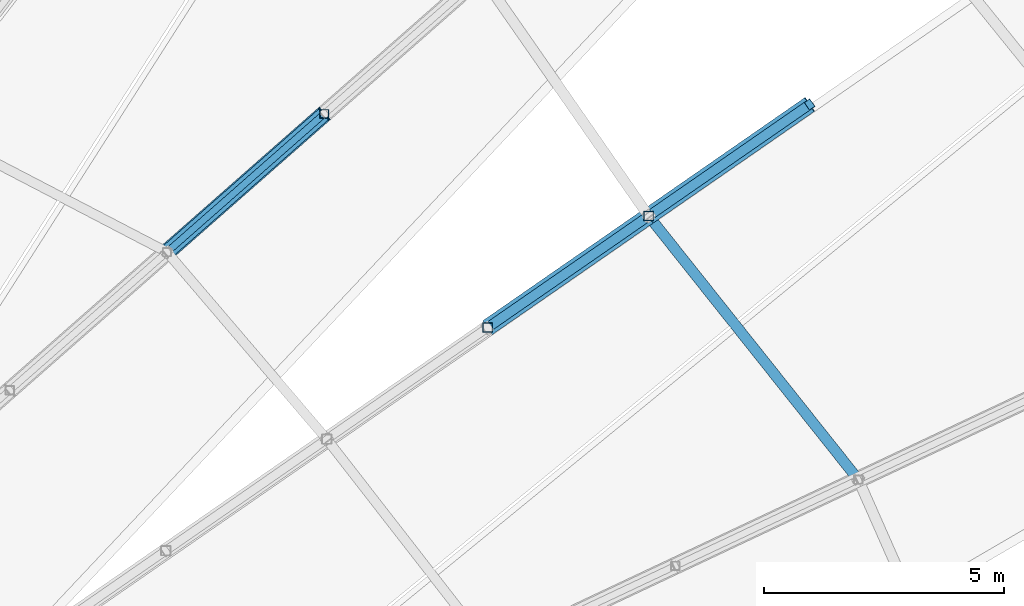
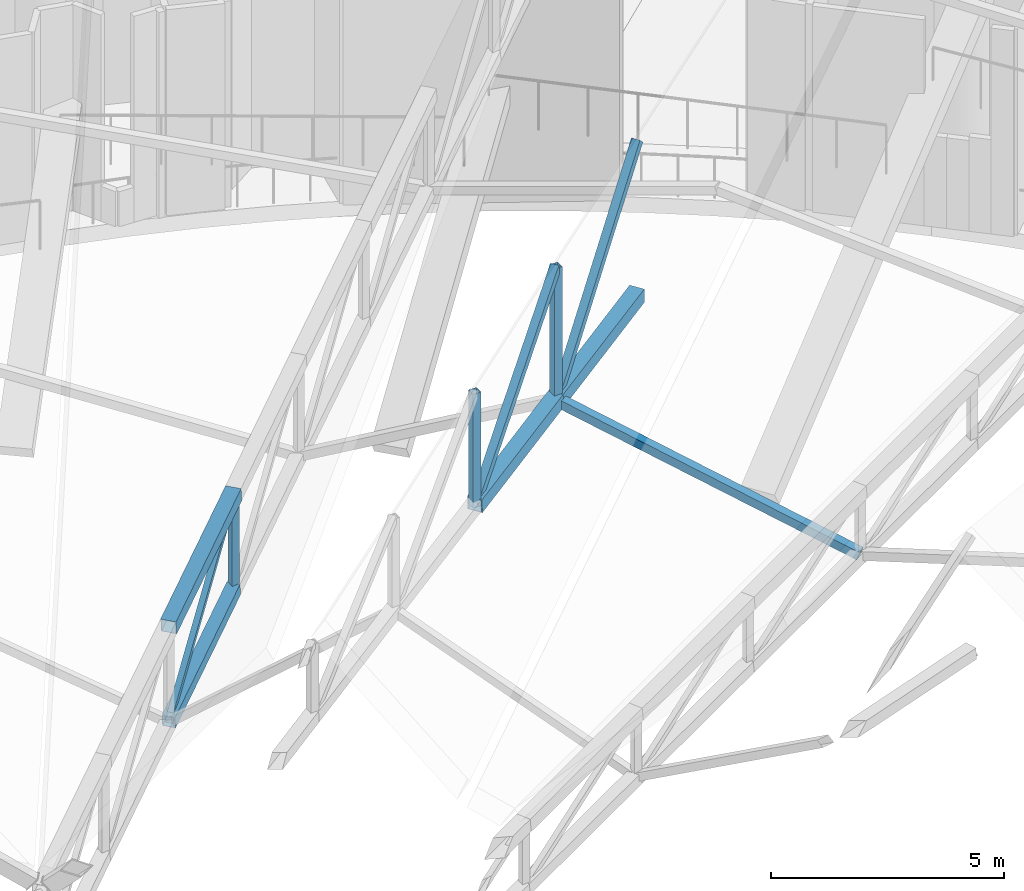
# One storey, part 187 of 344: 11 members.
"""IFC4 building model written with IfcOpenShell, lengths in metres."""

from ifc_helpers import new_model, si_unit, direction, frame, origin, origin_2d, place, context, subcontext, project, spatial, hollow_rectangle, extrude, material, material_profile, profile_set, type_object, element, save


model = new_model("IFC4")

# Units and contexts
model_context = context("Model", 3, precision=1e-05, world=origin(), true_north=direction((0.0, 1.0)))
body_context = subcontext(model_context, "Body", "Model", "MODEL_VIEW")
ifc_project = project(units=[si_unit("LENGTHUNIT", "METRE"), si_unit("AREAUNIT", "SQUARE_METRE"), si_unit("VOLUMEUNIT", "CUBIC_METRE"), si_unit("PLANEANGLEUNIT", "RADIAN"), si_unit("MASSUNIT", "GRAM", prefix="KILO")], contexts=[model_context])

# Site, building, storey
site_placement = place(None, origin())
site = spatial("IfcSite", under=ifc_project, at=site_placement, CompositionType="ELEMENT")
building_placement = place(site_placement, origin())
building = spatial("IfcBuilding", under=site, at=building_placement, Name="Meseta Stadium", CompositionType="ELEMENT")
storey_placement = place(building_placement, frame((0.0, 0.0, 24.0)))
storey = spatial("IfcBuildingStorey", under=building, at=storey_placement, Name="L04", CompositionType="ELEMENT", Elevation=24.0)

# Members
ifc_material_1 = material(Name="Steel S355", Category="steel")
ifc_material_profile_1 = material_profile(ifc_material_1, hollow_rectangle(XDim=0.139892578125, YDim=0.139892578125, WallThickness=0.0048828125, at=origin_2d()), Name="SHS 140x140x5")
ifc_profile_set_1 = profile_set([ifc_material_profile_1], Name="Steel S355")
member_type_1 = type_object("IfcMemberType", Name="SHS 140x140x5 diagonal", PredefinedType="BRACE", material=ifc_profile_set_1)
member_1_placement = place(storey_placement, frame((44.960205078125, 67.51220703125, 2.114013671875), z_axis=(0.612481902981, 0.538328789261, 0.578850613866), x_axis=(-0.660174887179, 0.751111921312, 0.0)))
element("IfcMember", 1, at=member_1_placement, inside=storey, type_object=member_type_1, Name="ROOF TRUSS RT-13 diagonal", PredefinedType="BRACE", context=body_context, shape_type="SweptSolid", body=[
    extrude(hollow_rectangle(XDim=0.139892578125, YDim=0.139892578125, WallThickness=0.0048828125, at=origin_2d()), origin(), (0.0, 0.0, 1.0), 5.35009765625),
])
ifc_material_2 = material(Name="Steel S355", Category="steel")
ifc_material_profile_2 = material_profile(ifc_material_2, hollow_rectangle(XDim=0.179931640625, YDim=0.179931640625, WallThickness=0.00634765625, at=origin_2d()), Name="SHS 180x180x6.3")
ifc_profile_set_2 = profile_set([ifc_material_profile_2], Name="Steel S355")
member_type_2 = type_object("IfcMemberType", Name="SHS 180x180x6.3 post", PredefinedType="POST", material=ifc_profile_set_2)
member_2_placement = place(storey_placement, frame((48.237060546875, 70.392333984375, 2.71728515625), z_axis=(0.0, 0.0, 1.0), x_axis=(1.0, 0.0, 0.0)))
element("IfcMember", 2, at=member_2_placement, inside=storey, type_object=member_type_2, Name="ROOF TRUSS RT-13 post", PredefinedType="POST", context=body_context, shape_type="SweptSolid", body=[
    extrude(hollow_rectangle(XDim=0.179931640625, YDim=0.179931640625, WallThickness=0.00634765625, at=origin_2d()), origin(), (0.0, 0.0, 1.0), 2.49365234375),
])
ifc_material_3 = material(Name="Steel S355", Category="steel")
ifc_material_profile_3 = material_profile(ifc_material_3, hollow_rectangle(XDim=0.199951171875, YDim=0.199951171875, WallThickness=0.008056640625, at=origin_2d()), Name="SHS 200x200x8")
ifc_profile_set_3 = profile_set([ifc_material_profile_3], Name="Steel S355")
member_type_3 = type_object("IfcMemberType", Name="SHS 200x200x8 diagonal", PredefinedType="BRACE", material=ifc_profile_set_3)
member_3_placement = place(storey_placement, frame((51.644775390625, 65.938720703125, 6.42578125), z_axis=(0.610660288464, 0.42314763349, 0.669357970271), x_axis=(-0.569558253619, 0.821950969179, 0.0)))
element("IfcMember", 3, at=member_3_placement, inside=storey, type_object=member_type_3, Name="ROOF TRUSS RT-12 diagonal", PredefinedType="BRACE", context=body_context, shape_type="SweptSolid", body=[
    extrude(hollow_rectangle(XDim=0.199951171875, YDim=0.199951171875, WallThickness=0.008056640625, at=origin_2d()), origin(), (0.0, 0.0, 1.0), 5.494384765625),
])
member_4_placement = place(storey_placement, frame((55.0, 68.263671875, 6.6044921875), z_axis=(0.57264749333, 0.396877799918, 0.717330370411), x_axis=(-0.569626659021, 0.821903564497, 0.0)))
element("IfcMember", 4, at=member_4_placement, inside=storey, type_object=member_type_3, Name="ROOF TRUSS RT-12 diagonal", PredefinedType="BRACE", context=body_context, shape_type="SweptSolid", body=[
    extrude(hollow_rectangle(XDim=0.199951171875, YDim=0.199951171875, WallThickness=0.008056640625, at=origin_2d()), origin(), (0.0, 0.0, 1.0), 5.858642578125),
])
ifc_material_4 = material(Name="Steel S355", Category="steel")
ifc_material_profile_4 = material_profile(ifc_material_4, hollow_rectangle(XDim=0.199951171875, YDim=0.199951171875, WallThickness=0.008056640625, at=origin_2d()), Name="SHS 200x200x8")
ifc_profile_set_4 = profile_set([ifc_material_profile_4], Name="Steel S355")
member_type_4 = type_object("IfcMemberType", Name="SHS 200x200x8 post", PredefinedType="POST", material=ifc_profile_set_4)
member_5_placement = place(storey_placement, frame((51.644775390625, 65.938720703125, 6.42578125), z_axis=(0.0, 0.0, 1.0), x_axis=(1.0, 0.0, 0.0)))
element("IfcMember", 5, at=member_5_placement, inside=storey, type_object=member_type_4, Name="ROOF TRUSS RT-12 post", PredefinedType="POST", context=body_context, shape_type="SweptSolid", body=[
    extrude(hollow_rectangle(XDim=0.199951171875, YDim=0.199951171875, WallThickness=0.008056640625, at=origin_2d()), origin(), (0.0, 0.0, 1.0), 2.97412109375),
])
member_6_placement = place(storey_placement, frame((55.0, 68.263671875, 6.6044921875), z_axis=(0.0, 0.0, 1.0), x_axis=(1.0, 0.0, 0.0)))
element("IfcMember", 6, at=member_6_placement, inside=storey, type_object=member_type_4, Name="ROOF TRUSS RT-12 post", PredefinedType="POST", context=body_context, shape_type="SweptSolid", body=[
    extrude(hollow_rectangle(XDim=0.199951171875, YDim=0.199951171875, WallThickness=0.008056640625, at=origin_2d()), origin(), (0.0, 0.0, 1.0), 3.4990234375),
])
ifc_material_5 = material(Name="Steel S355", Category="steel")
ifc_material_profile_5 = material_profile(ifc_material_5, hollow_rectangle(XDim=0.219970703125, YDim=0.219970703125, WallThickness=0.008056640625, at=origin_2d()), Name="SHS 220x220x8")
ifc_profile_set_5 = profile_set([ifc_material_profile_5], Name="Steel S355")
member_type_5 = type_object("IfcMemberType", Name="SHS 220x220x8 strut", PredefinedType="STRUT", material=ifc_profile_set_5)
member_7_placement = place(storey_placement, frame((59.369140625, 62.769775390625, 4.35107421875), z_axis=(-0.592646229983, 0.745212232528, 0.30566186314), x_axis=(-0.782670753769, -0.622435933406, 0.0)))
element("IfcMember", 7, at=member_7_placement, inside=storey, type_object=member_type_5, Name="ROOF TRUSS STRUT RT-11/12", PredefinedType="STRUT", context=body_context, shape_type="SweptSolid", body=[
    extrude(hollow_rectangle(XDim=0.219970703125, YDim=0.219970703125, WallThickness=0.008056640625, at=origin_2d()), origin(), (0.0, 0.0, 1.0), 7.372314453125),
])
ifc_material_6 = material(Name="Steel S355", Category="steel")
ifc_material_profile_6 = material_profile(ifc_material_6, hollow_rectangle(XDim=0.300048828125, YDim=0.300048828125, WallThickness=0.010009765625, at=origin_2d()), Name="SHS 300x300x10")
ifc_profile_set_6 = profile_set([ifc_material_profile_6], Name="Steel S355")
member_type_6 = type_object("IfcMemberType", Name="SHS 300x300x10 bottom chord", PredefinedType="CHORD", material=ifc_profile_set_6)
member_8_placement = place(storey_placement, frame((44.960205078125, 67.51220703125, 2.114013671875), z_axis=(0.744032126483, 0.653952242298, 0.136976857736), x_axis=(-0.660174887179, 0.751111921312, 0.0)))
element("IfcMember", 8, at=member_8_placement, inside=storey, type_object=member_type_6, Name="ROOF TRUSS RT-13 bottom chord", PredefinedType="CHORD", context=body_context, shape_type="SweptSolid", body=[
    extrude(hollow_rectangle(XDim=0.300048828125, YDim=0.300048828125, WallThickness=0.010009765625, at=origin_2d()), origin(), (0.0, 0.0, 1.0), 4.404296875),
])
ifc_material_7 = material(Name="Steel S355", Category="steel")
ifc_material_profile_7 = material_profile(ifc_material_7, hollow_rectangle(XDim=0.35009765625, YDim=0.35009765625, WallThickness=0.010009765625, at=origin_2d()), Name="SHS 350x350x10")
ifc_profile_set_7 = profile_set([ifc_material_profile_7], Name="Steel S355")
member_type_7 = type_object("IfcMemberType", Name="SHS 350x350x10 top chord", PredefinedType="CHORD", material=ifc_profile_set_7)
member_9_placement = place(storey_placement, frame((44.960205078125, 67.51220703125, 4.607666015625), z_axis=(0.744032126483, 0.653952242298, 0.136976857736), x_axis=(-0.660174887179, 0.751111921312, 0.0)))
element("IfcMember", 9, at=member_9_placement, inside=storey, type_object=member_type_7, Name="ROOF TRUSS RT-13 top chord", PredefinedType="CHORD", context=body_context, shape_type="SweptSolid", body=[
    extrude(hollow_rectangle(XDim=0.35009765625, YDim=0.35009765625, WallThickness=0.010009765625, at=origin_2d()), origin(), (0.0, 0.0, 1.0), 4.404296875),
])
ifc_material_8 = material(Name="Steel S355", Category="steel")
ifc_material_profile_8 = material_profile(ifc_material_8, hollow_rectangle(XDim=0.35009765625, YDim=0.35009765625, WallThickness=0.01416015625, at=origin_2d()), Name="SHS 350x350x14.2")
ifc_profile_set_8 = profile_set([ifc_material_profile_8], Name="Steel S355")
member_type_8 = type_object("IfcMemberType", Name="SHS 350x350x14.2 bottom chord", PredefinedType="CHORD", material=ifc_profile_set_8)
for number, where, z_axis, x_axis, name in (
    (10, (51.644775390625, 65.938720703125, 6.42578125), (0.821164388902, 0.569013204942, 0.043738072668), (-0.569558253619, 0.821950969179, 0.0), "ROOF TRUSS RT-12 bottom chord"),
    (11, (55.0, 68.263671875, 6.6044921875), (0.821114858437, 0.569080040151, 0.043798369323), (-0.569626659021, 0.821903564497, 0.0), "ROOF TRUSS RT-12 bottom chord"),
):
    element("IfcMember", number, at=place(storey_placement, frame(where, z_axis=z_axis, x_axis=x_axis)), inside=storey, type_object=member_type_8, Name=name, PredefinedType="CHORD", context=body_context, shape_type="SweptSolid", body=[
        extrude(hollow_rectangle(XDim=0.35009765625, YDim=0.35009765625, WallThickness=0.01416015625, at=origin_2d()), origin(), (0.0, 0.0, 1.0), 4.0859375),
    ])

save(model, "model.ifc")
